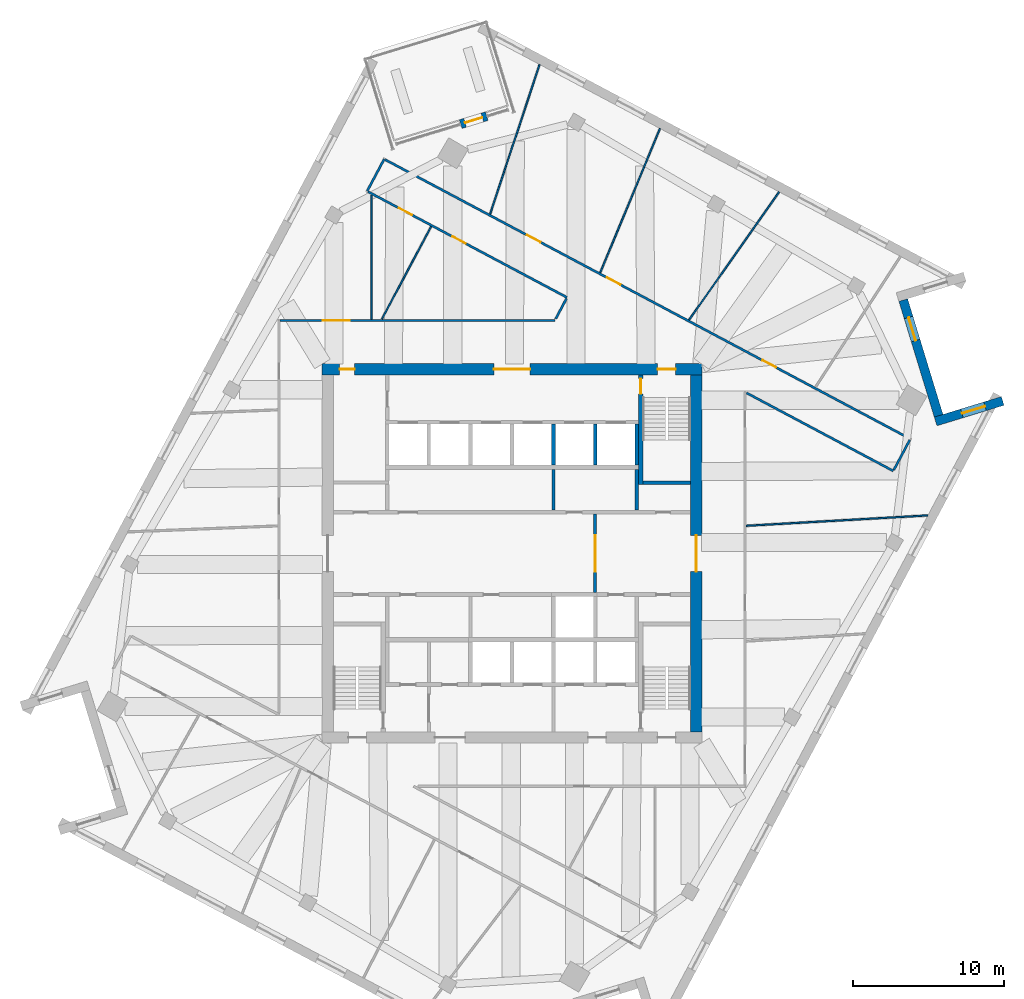
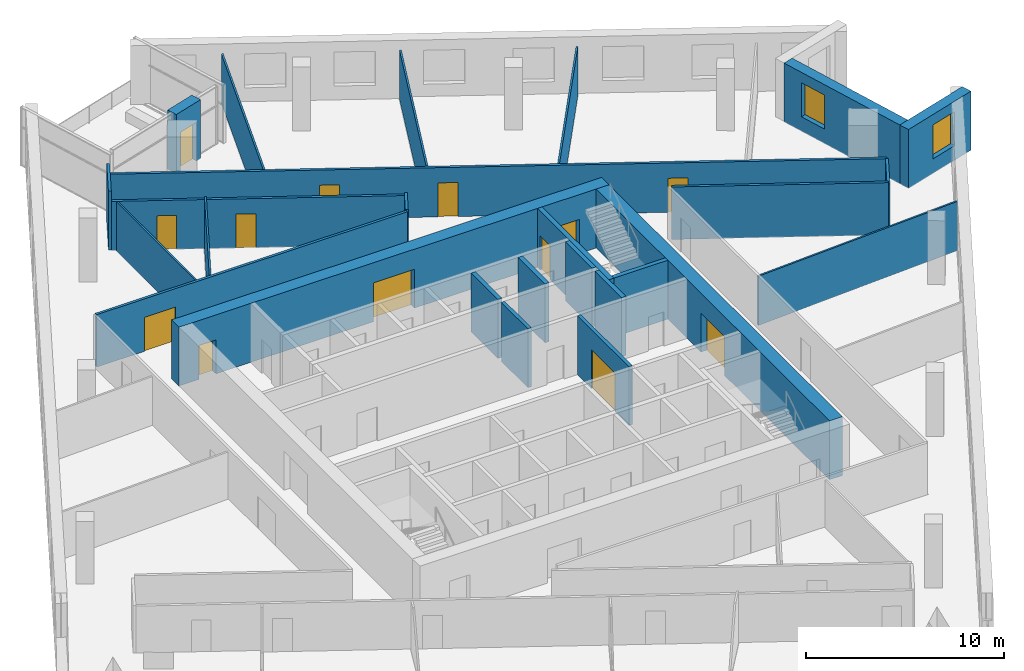
# One storey, part 10 of 13: 26 walls, 13 doors, 2 windows, 15 openings.
"""IFC4 building model written with IfcOpenShell, lengths in metres."""

from ifc_helpers import new_model, si_unit, direction, frame, frame_2d, origin, place, context, subcontext, project, spatial, rectangle, extrude, material, layer, layer_set, type_object, element, fill, save


model = new_model("IFC4")

# Units and contexts
model_context = context("Model", 3, precision=1e-05, world=origin(), true_north=direction((0.0, 1.0)))
body_context = subcontext(model_context, "Body", "Model", "MODEL_VIEW")
ifc_project = project(units=[si_unit("LENGTHUNIT", "METRE"), si_unit("AREAUNIT", "SQUARE_METRE"), si_unit("VOLUMEUNIT", "CUBIC_METRE"), si_unit("PLANEANGLEUNIT", "RADIAN"), si_unit("MASSUNIT", "GRAM", prefix="KILO")], contexts=[model_context])

# Site, building, storey
site_placement = place(None, origin())
site = spatial("IfcSite", under=ifc_project, at=site_placement, CompositionType="ELEMENT")
building_placement = place(site_placement, origin())
building = spatial("IfcBuilding", under=site, at=building_placement, Name="Dilmun Exchange Tower", CompositionType="ELEMENT")
storey_placement = place(building_placement, frame((0.0, 0.0, 274.89990234375)))
storey = spatial("IfcBuildingStorey", under=building, at=storey_placement, Name="L65", CompositionType="ELEMENT", Elevation=274.89990234375)

# Wall, opening, door
ifc_material_1 = material(Name="Concrete C40/50", Category="concrete")
ifc_layer_1 = layer(ifc_material_1, 0.199951171875)
ifc_layer_set_1 = layer_set([ifc_layer_1], Name="Concrete C40/50")
wall_type_1 = type_object("IfcWallType", Name="Core partition wall 200", PredefinedType="PARTITIONING", material=ifc_layer_set_1)
wall_1_placement = place(storey_placement, frame((5.5, -2.594970703125, 0.0), z_axis=(0.0, 0.0, 1.0), x_axis=(0.0, 1.0, 0.0)))
wall_1 = element("IfcWall", 1, at=wall_1_placement, inside=storey, type_object=wall_type_1, Name="L65 core partition wall 12", PredefinedType="PARTITIONING", context=body_context, shape_type="SweptSolid", body=[
    extrude(rectangle(XDim=5.18994140625, YDim=0.199951171875, at=frame_2d((2.594970703125, 0.0))), origin(), (0.0, 0.0, 1.0), 3.64013671875),
])
opening_1_placement = place(wall_1_placement, frame((1.39501953125, 0.0, 0.0)))
opening_1 = element("IfcOpeningElement", 2, at=opening_1_placement, cuts=wall_1, Name="Opening CD1", PredefinedType="OPENING", context=body_context, shape_type="SweptSolid", body=[
    extrude(rectangle(XDim=2.39990234375, YDim=2.39990234375, at=frame_2d((1.199951171875, 1.199951171875))), frame((0.0, 0.10986328125, 0.0), z_axis=(0.0, -1.0, 0.0), x_axis=(1.0, 0.0, 0.0)), (0.0, 0.0, 1.0), 0.219970703125),
])
ifc_material_2 = material(Name="Fire-rated steel door set", Category="steel")
door_type_1 = type_object("IfcDoorType", Name="Core lobby door 2400x2400", OperationType="DOUBLE_DOOR_DOUBLE_SWING", PredefinedType="DOOR", material=ifc_material_2)
door_1_placement = place(opening_1_placement, origin())
door_1 = element("IfcDoor", 3, at=door_1_placement, inside=storey, type_object=door_type_1, Name="L65 door Lift lobby east", OperationType="DOUBLE_DOOR_DOUBLE_SWING", OverallHeight=2.39990234375, OverallWidth=2.39990234375, PredefinedType="DOOR", context=body_context, shape_type="SweptSolid", body=[
    extrude(rectangle(XDim=2.39990234375, YDim=2.39990234375, at=frame_2d((1.199951171875, 1.199951171875))), frame((0.0, 0.02490234375, 0.0), z_axis=(0.0, -1.0, 0.0), x_axis=(1.0, 0.0, 0.0)), (0.0, 0.0, 1.0), 0.050048828125),
])
fill(opening_1, door_1)

# Walls
wall_2_placement = place(storey_placement, frame((2.75, 2.85498046875, 0.0), z_axis=(0.0, 0.0, 1.0), x_axis=(0.0, 1.0, 0.0)))
element("IfcWall", 4, at=wall_2_placement, inside=storey, type_object=wall_type_1, Name="L65 core partition wall 15", PredefinedType="PARTITIONING", context=body_context, shape_type="SweptSolid", body=[
    extrude(rectangle(XDim=2.68994140625, YDim=0.199951171875, at=frame_2d((1.344970703125, 0.0))), origin(), (0.0, 0.0, 1.0), 3.64013671875),
])
ifc_layer_2 = layer(ifc_material_1, 0.25)
ifc_layer_set_2 = layer_set([ifc_layer_2], Name="Concrete C40/50")
wall_type_2 = type_object("IfcWallType", Name="Core partition wall 250", PredefinedType="PARTITIONING", material=ifc_layer_set_2)
wall_3_placement = place(storey_placement, frame((8.25, 2.85498046875, 0.0), z_axis=(0.0, 0.0, 1.0), x_axis=(0.0, 1.0, 0.0)))
element("IfcWall", 5, at=wall_3_placement, inside=storey, type_object=wall_type_2, Name="L65 core partition wall 16", PredefinedType="PARTITIONING", context=body_context, shape_type="SweptSolid", body=[
    extrude(rectangle(XDim=2.68994140625, YDim=0.25, at=frame_2d((1.344970703125, 0.0))), origin(), (0.0, 0.0, 1.0), 3.64013671875),
])

# Wall, openings, doors
ifc_material_3 = material(Name="Concrete C50/60", Category="concrete")
ifc_layer_3 = layer(ifc_material_3, 0.75)
ifc_layer_set_3 = layer_set([ifc_layer_3], Name="Concrete C50/60")
wall_type_3 = type_object("IfcWallType", Name="Core shear wall 750 Concrete C50/60", PredefinedType="SHEAR", material=ifc_layer_set_3)
wall_4_placement = place(storey_placement, frame((-12.550048828125, 12.175048828125, 0.0), z_axis=(0.0, 0.0, 1.0), x_axis=(1.0, 0.0, 0.0)))
wall_4 = element("IfcWall", 6, at=wall_4_placement, inside=storey, type_object=wall_type_3, Name="L65 core shear wall N", PredefinedType="SHEAR", context=body_context, shape_type="SweptSolid", body=[
    extrude(rectangle(XDim=25.10009765625, YDim=0.75, at=frame_2d((12.550048828125, 0.0))), origin(), (0.0, 0.0, 1.0), 3.64013671875),
])
opening_2_placement = place(wall_4_placement, frame((11.35009765625, 0.0, 0.0)))
opening_2 = element("IfcOpeningElement", 7, at=opening_2_placement, cuts=wall_4, Name="Opening CD1", PredefinedType="OPENING", context=body_context, shape_type="SweptSolid", body=[
    extrude(rectangle(XDim=2.39990234375, YDim=2.39990234375, at=frame_2d((1.199951171875, 1.199951171875))), frame((0.0, 0.385009765625, 0.0), z_axis=(0.0, -1.0, 0.0), x_axis=(1.0, 0.0, 0.0)), (0.0, 0.0, 1.0), 0.77001953125),
])
opening_3_placement = place(wall_4_placement, frame((22.175048828125, 0.0, 0.0)))
opening_3 = element("IfcOpeningElement", 8, at=opening_3_placement, cuts=wall_4, Name="Opening CD3", PredefinedType="OPENING", context=body_context, shape_type="SweptSolid", body=[
    extrude(rectangle(XDim=1.199951171875, YDim=2.10009765625, at=frame_2d((0.60009765625, 1.050048828125))), frame((0.0, 0.385009765625, 0.0), z_axis=(0.0, -1.0, 0.0), x_axis=(1.0, 0.0, 0.0)), (0.0, 0.0, 1.0), 0.77001953125),
])
opening_4_placement = place(wall_4_placement, frame((1.14990234375, 0.0, 0.0)))
opening_4 = element("IfcOpeningElement", 9, at=opening_4_placement, cuts=wall_4, Name="Opening CD4", PredefinedType="OPENING", context=body_context, shape_type="SweptSolid", body=[
    extrude(rectangle(XDim=1.0, YDim=2.10009765625, at=frame_2d((0.5, 1.050048828125))), frame((0.0, 0.385009765625, 0.0), z_axis=(0.0, -1.0, 0.0), x_axis=(1.0, 0.0, 0.0)), (0.0, 0.0, 1.0), 0.77001953125),
])
door_2_placement = place(opening_2_placement, origin())
door_2 = element("IfcDoor", 10, at=door_2_placement, inside=storey, type_object=door_type_1, Name="L65 door North lift lobby", OperationType="SINGLE_SWING_LEFT", OverallHeight=2.39990234375, OverallWidth=2.39990234375, PredefinedType="DOOR", context=body_context, shape_type="SweptSolid", body=[
    extrude(rectangle(XDim=2.39990234375, YDim=2.39990234375, at=frame_2d((1.199951171875, 1.199951171875))), frame((0.0, 0.02490234375, 0.0), z_axis=(0.0, -1.0, 0.0), x_axis=(1.0, 0.0, 0.0)), (0.0, 0.0, 1.0), 0.050048828125),
])
fill(opening_2, door_2)
door_type_2 = type_object("IfcDoorType", Name="Core room door 1000x2100", OperationType="SINGLE_SWING_LEFT", PredefinedType="DOOR", material=ifc_material_2)
door_3_placement = place(opening_4_placement, origin())
door_3 = element("IfcDoor", 11, at=door_3_placement, inside=storey, type_object=door_type_2, Name="L65 door North-west core rooms", OperationType="SINGLE_SWING_LEFT", OverallHeight=2.10009765625, OverallWidth=1.0, PredefinedType="DOOR", context=body_context, shape_type="SweptSolid", body=[
    extrude(rectangle(XDim=1.0, YDim=2.10009765625, at=frame_2d((0.5, 1.050048828125))), frame((0.0, 0.02490234375, 0.0), z_axis=(0.0, -1.0, 0.0), x_axis=(1.0, 0.0, 0.0)), (0.0, 0.0, 1.0), 0.050048828125),
])
fill(opening_4, door_3)
door_type_3 = type_object("IfcDoorType", Name="Stair exit door 1200x2100", OperationType="SINGLE_SWING_LEFT", PredefinedType="DOOR", material=ifc_material_2)
door_4_placement = place(opening_3_placement, origin())
door_4 = element("IfcDoor", 12, at=door_4_placement, inside=storey, type_object=door_type_3, Name="L65 door Stair ST1", OperationType="SINGLE_SWING_LEFT", OverallHeight=2.10009765625, OverallWidth=1.199951171875, PredefinedType="DOOR", context=body_context, shape_type="SweptSolid", body=[
    extrude(rectangle(XDim=1.199951171875, YDim=2.10009765625, at=frame_2d((0.60009765625, 1.050048828125))), frame((0.0, 0.02490234375, 0.0), z_axis=(0.0, -1.0, 0.0), x_axis=(1.0, 0.0, 0.0)), (0.0, 0.0, 1.0), 0.050048828125),
])
fill(opening_3, door_4)

# Wall, opening, door
wall_5_placement = place(storey_placement, frame((12.175048828125, -11.800048828125, 0.0), z_axis=(0.0, 0.0, 1.0), x_axis=(0.0, 1.0, 0.0)))
wall_5 = element("IfcWall", 13, at=wall_5_placement, inside=storey, type_object=wall_type_3, Name="L65 core shear wall E", PredefinedType="SHEAR", context=body_context, shape_type="SweptSolid", body=[
    extrude(rectangle(XDim=23.60009765625, YDim=0.75, at=frame_2d((11.800048828125, 0.0))), origin(), (0.0, 0.0, 1.0), 3.64013671875),
])
opening_5_placement = place(wall_5_placement, frame((10.60009765625, 0.0, 0.0)))
opening_5 = element("IfcOpeningElement", 14, at=opening_5_placement, cuts=wall_5, Name="Opening CD1", PredefinedType="OPENING", context=body_context, shape_type="SweptSolid", body=[
    extrude(rectangle(XDim=2.39990234375, YDim=2.39990234375, at=frame_2d((1.199951171875, 1.199951171875))), frame((0.0, 0.385009765625, 0.0), z_axis=(0.0, -1.0, 0.0), x_axis=(1.0, 0.0, 0.0)), (0.0, 0.0, 1.0), 0.77001953125),
])
door_5_placement = place(opening_5_placement, origin())
door_5 = element("IfcDoor", 15, at=door_5_placement, inside=storey, type_object=door_type_1, Name="L65 door Central lift lobby", OperationType="SINGLE_SWING_LEFT", OverallHeight=2.39990234375, OverallWidth=2.39990234375, PredefinedType="DOOR", context=body_context, shape_type="SweptSolid", body=[
    extrude(rectangle(XDim=2.39990234375, YDim=2.39990234375, at=frame_2d((1.199951171875, 1.199951171875))), frame((0.0, 0.02490234375, 0.0), z_axis=(0.0, -1.0, 0.0), x_axis=(1.0, 0.0, 0.0)), (0.0, 0.0, 1.0), 0.050048828125),
])
fill(opening_5, door_5)

ifc_material_4 = material(Name="Corridor wall 150")
ifc_layer_4 = layer(ifc_material_4, 0.14990234375)
ifc_layer_set_4 = layer_set([ifc_layer_4], Name="Corridor wall 150")
wall_type_4 = type_object("IfcWallType", Name="Corridor wall 150", PredefinedType="PARTITIONING", material=ifc_layer_set_4)
wall_6_placement = place(storey_placement, frame((-15.324951171875, 15.39990234375, 0.0), z_axis=(0.0, 0.0, 1.0), x_axis=(1.0, 0.0, 0.0)))
wall_6 = element("IfcWall", 16, at=wall_6_placement, inside=storey, type_object=wall_type_4, Name="Corridor wall", PredefinedType="PARTITIONING", context=body_context, shape_type="SweptSolid", body=[
    extrude(rectangle(XDim=18.155029296875, YDim=0.14990234375, at=frame_2d((9.07763671875, 0.0))), origin(), (0.0, 0.0, 1.0), 3.239990234375),
])
opening_6_placement = place(wall_6_placement, frame((2.800048828125, 0.0, 0.0)))
opening_6 = element("IfcOpeningElement", 17, at=opening_6_placement, cuts=wall_6, Name="Opening TF65-D06", PredefinedType="OPENING", context=body_context, shape_type="SweptSolid", body=[
    extrude(rectangle(XDim=1.800048828125, YDim=2.10009765625, at=frame_2d((0.89990234375, 1.050048828125))), frame((0.0, 0.0849609375, 0.0), z_axis=(0.0, -1.0, 0.0), x_axis=(1.0, 0.0, 0.0)), (0.0, 0.0, 1.0), 0.169921875),
])
ifc_material_5 = material(Name="Fire door pair 1800 x 2100")
door_type_4 = type_object("IfcDoorType", Name="Fire door pair 1800 x 2100", OperationType="NOTDEFINED", PredefinedType="DOOR", material=ifc_material_5)
door_6_placement = place(opening_6_placement, origin())
door_6 = element("IfcDoor", 18, at=door_6_placement, inside=storey, type_object=door_type_4, Name="Door TF65-D06", OperationType="DOUBLE_DOOR_SINGLE_SWING", OverallHeight=2.10009765625, OverallWidth=1.800048828125, PredefinedType="DOOR", context=body_context, shape_type="SweptSolid", body=[
    extrude(rectangle(XDim=1.800048828125, YDim=2.10009765625, at=frame_2d((0.89990234375, 1.050048828125))), frame((0.0, 0.02490234375, 0.0), z_axis=(0.0, -1.0, 0.0), x_axis=(1.0, 0.0, 0.0)), (0.0, 0.0, 1.0), 0.050048828125),
])
fill(opening_6, door_6)

# Wall
wall_7_placement = place(storey_placement, frame((-9.577880859375, 23.948974609375, 0.0), z_axis=(0.0, 0.0, 1.0), x_axis=(0.469531998299, 0.882915456073, 0.0)))
element("IfcWall", 19, at=wall_7_placement, inside=storey, type_object=wall_type_4, Name="Corridor wall", PredefinedType="PARTITIONING", context=body_context, shape_type="SweptSolid", body=[
    extrude(rectangle(XDim=2.400146484375, YDim=0.14990234375, at=frame_2d((1.2001953125, 0.0))), origin(), (0.0, 0.0, 1.0), 3.64013671875),
])

# Wall, openings, doors
wall_8_placement = place(storey_placement, frame((-9.51171875, 23.913818359375, 0.0), z_axis=(0.0, 0.0, 1.0), x_axis=(0.882964773335, -0.469439249583, 0.0)))
wall_8 = element("IfcWall", 20, at=wall_8_placement, inside=storey, type_object=wall_type_4, Name="Corridor wall", PredefinedType="PARTITIONING", context=body_context, shape_type="SweptSolid", body=[
    extrude(rectangle(XDim=14.893798828125, YDim=0.14990234375, at=frame_2d((7.44677734375, 0.0))), origin(), (0.0, 0.0, 1.0), 3.0400390625),
])
opening_7_placement = place(wall_8_placement, frame((2.29638671875, 0.0, 0.0)))
opening_7 = element("IfcOpeningElement", 21, at=opening_7_placement, cuts=wall_8, Name="Opening TF65-D08", PredefinedType="OPENING", context=body_context, shape_type="SweptSolid", body=[
    extrude(rectangle(XDim=1.0, YDim=2.10009765625, at=frame_2d((0.5, 1.050048828125))), frame((0.0, 0.0849609375, 0.0), z_axis=(0.0, -1.0, 0.0), x_axis=(1.0, 0.0, 0.0)), (0.0, 0.0, 1.0), 0.169921875),
])
opening_8_placement = place(wall_8_placement, frame((6.306640625, 0.0, 0.0)))
opening_8 = element("IfcOpeningElement", 22, at=opening_8_placement, cuts=wall_8, Name="Opening TF65-D10", PredefinedType="OPENING", context=body_context, shape_type="SweptSolid", body=[
    extrude(rectangle(XDim=1.0, YDim=2.10009765625, at=frame_2d((0.5, 1.050048828125))), frame((0.0, 0.0849609375, 0.0), z_axis=(0.0, -1.0, 0.0), x_axis=(1.0, 0.0, 0.0)), (0.0, 0.0, 1.0), 0.169921875),
])
ifc_material_6 = material(Name="Fire door 1000 x 2100")
door_type_5 = type_object("IfcDoorType", Name="Fire door 1000 x 2100", OperationType="NOTDEFINED", PredefinedType="DOOR", material=ifc_material_6)
door_7_placement = place(opening_7_placement, frame((1.0, 0.0, 0.0), z_axis=(0.0, 0.0, 1.0), x_axis=(-1.0, 0.0, 0.0)))
door_7 = element("IfcDoor", 23, at=door_7_placement, inside=storey, type_object=door_type_5, Name="Door TF65-D08", OperationType="SINGLE_SWING_RIGHT", OverallHeight=2.10009765625, OverallWidth=1.0, PredefinedType="DOOR", context=body_context, shape_type="SweptSolid", body=[
    extrude(rectangle(XDim=1.0, YDim=2.10009765625, at=frame_2d((0.5, 1.050048828125))), frame((0.0, 0.02490234375, 0.0), z_axis=(0.0, -1.0, 0.0), x_axis=(1.0, 0.0, 0.0)), (0.0, 0.0, 1.0), 0.050048828125),
])
fill(opening_7, door_7)
door_8_placement = place(opening_8_placement, frame((1.0, 0.0, 0.0), z_axis=(0.0, 0.0, 1.0), x_axis=(-1.0, 0.0, 0.0)))
door_8 = element("IfcDoor", 24, at=door_8_placement, inside=storey, type_object=door_type_5, Name="Door TF65-D10", OperationType="SINGLE_SWING_LEFT", OverallHeight=2.10009765625, OverallWidth=1.0, PredefinedType="DOOR", context=body_context, shape_type="SweptSolid", body=[
    extrude(rectangle(XDim=1.0, YDim=2.10009765625, at=frame_2d((0.5, 1.050048828125))), frame((0.0, 0.02490234375, 0.0), z_axis=(0.0, -1.0, 0.0), x_axis=(1.0, 0.0, 0.0)), (0.0, 0.0, 1.0), 0.050048828125),
])
fill(opening_8, door_8)

wall_9_placement = place(storey_placement, frame((-8.384765625, 26.03271484375, 0.0), z_axis=(0.0, 0.0, 1.0), x_axis=(0.882949433839, -0.46946810039, 0.0)))
wall_9 = element("IfcWall", 25, at=wall_9_placement, inside=storey, type_object=wall_type_4, Name="Corridor wall", PredefinedType="PARTITIONING", context=body_context, shape_type="SweptSolid", body=[
    extrude(rectangle(XDim=39.32470703125, YDim=0.14990234375, at=frame_2d((19.662353515625, 0.0))), origin(), (0.0, 0.0, 1.0), 3.0400390625),
])
opening_9_placement = place(wall_9_placement, frame((10.6220703125, 0.0, 0.0)))
opening_9 = element("IfcOpeningElement", 26, at=opening_9_placement, cuts=wall_9, Name="Opening TF65-D12", PredefinedType="OPENING", context=body_context, shape_type="SweptSolid", body=[
    extrude(rectangle(XDim=1.0, YDim=2.10009765625, at=frame_2d((0.5, 1.050048828125))), frame((0.0, 0.0849609375, 0.0), z_axis=(0.0, -1.0, 0.0), x_axis=(1.0, 0.0, 0.0)), (0.0, 0.0, 1.0), 0.169921875),
])
opening_10_placement = place(wall_9_placement, frame((16.615478515625, 0.0, 0.0)))
opening_10 = element("IfcOpeningElement", 27, at=opening_10_placement, cuts=wall_9, Name="Opening TF65-D16", PredefinedType="OPENING", context=body_context, shape_type="SweptSolid", body=[
    extrude(rectangle(XDim=1.0, YDim=2.10009765625, at=frame_2d((0.5, 1.050048828125))), frame((0.0, 0.0849609375, 0.0), z_axis=(0.0, -1.0, 0.0), x_axis=(1.0, 0.0, 0.0)), (0.0, 0.0, 1.0), 0.169921875),
])
opening_11_placement = place(wall_9_placement, frame((28.254150390625, 0.0, 0.0)))
opening_11 = element("IfcOpeningElement", 28, at=opening_11_placement, cuts=wall_9, Name="Opening TF65-D17", PredefinedType="OPENING", context=body_context, shape_type="SweptSolid", body=[
    extrude(rectangle(XDim=1.0, YDim=2.10009765625, at=frame_2d((0.5, 1.050048828125))), frame((0.0, 0.0849609375, 0.0), z_axis=(0.0, -1.0, 0.0), x_axis=(1.0, 0.0, 0.0)), (0.0, 0.0, 1.0), 0.169921875),
])
door_9_placement = place(opening_9_placement, origin())
door_9 = element("IfcDoor", 29, at=door_9_placement, inside=storey, type_object=door_type_5, Name="Door TF65-D12", OperationType="SINGLE_SWING_RIGHT", OverallHeight=2.10009765625, OverallWidth=1.0, PredefinedType="DOOR", context=body_context, shape_type="SweptSolid", body=[
    extrude(rectangle(XDim=1.0, YDim=2.10009765625, at=frame_2d((0.5, 1.050048828125))), frame((0.0, 0.02490234375, 0.0), z_axis=(0.0, -1.0, 0.0), x_axis=(1.0, 0.0, 0.0)), (0.0, 0.0, 1.0), 0.050048828125),
])
fill(opening_9, door_9)
door_10_placement = place(opening_10_placement, origin())
door_10 = element("IfcDoor", 30, at=door_10_placement, inside=storey, type_object=door_type_5, Name="Door TF65-D16", OperationType="SINGLE_SWING_LEFT", OverallHeight=2.10009765625, OverallWidth=1.0, PredefinedType="DOOR", context=body_context, shape_type="SweptSolid", body=[
    extrude(rectangle(XDim=1.0, YDim=2.10009765625, at=frame_2d((0.5, 1.050048828125))), frame((0.0, 0.02490234375, 0.0), z_axis=(0.0, -1.0, 0.0), x_axis=(1.0, 0.0, 0.0)), (0.0, 0.0, 1.0), 0.050048828125),
])
fill(opening_10, door_10)
door_11_placement = place(opening_11_placement, origin())
door_11 = element("IfcDoor", 31, at=door_11_placement, inside=storey, type_object=door_type_5, Name="Door TF65-D17", OperationType="SINGLE_SWING_RIGHT", OverallHeight=2.10009765625, OverallWidth=1.0, PredefinedType="DOOR", context=body_context, shape_type="SweptSolid", body=[
    extrude(rectangle(XDim=1.0, YDim=2.10009765625, at=frame_2d((0.5, 1.050048828125))), frame((0.0, 0.02490234375, 0.0), z_axis=(0.0, -1.0, 0.0), x_axis=(1.0, 0.0, 0.0)), (0.0, 0.0, 1.0), 0.050048828125),
])
fill(opening_11, door_11)

# Walls
wall_10_placement = place(storey_placement, frame((2.888671875, 15.51025390625, 0.0), z_axis=(0.0, 0.0, 1.0), x_axis=(0.469315326783, 0.883030647286, 0.0)))
element("IfcWall", 32, at=wall_10_placement, inside=storey, type_object=wall_type_4, Name="Corridor wall", PredefinedType="PARTITIONING", context=body_context, shape_type="SweptSolid", body=[
    extrude(rectangle(XDim=1.523681640625, YDim=0.14990234375, at=frame_2d((0.76171875, 0.0))), origin(), (0.0, 0.0, 1.0), 3.239990234375),
])
wall_11_placement = place(storey_placement, frame((15.51025390625, 10.609375, 0.0), z_axis=(0.0, 0.0, 1.0), x_axis=(0.882945895242, -0.469474755525, 0.0)))
element("IfcWall", 33, at=wall_11_placement, inside=storey, type_object=wall_type_4, Name="Corridor wall", PredefinedType="PARTITIONING", context=body_context, shape_type="SweptSolid", body=[
    extrude(rectangle(XDim=10.985595703125, YDim=0.14990234375, at=frame_2d((5.49267578125, 0.0))), origin(), (0.0, 0.0, 1.0), 3.239990234375),
])
wall_12_placement = place(storey_placement, frame((25.2451171875, 5.518310546875, 0.0), z_axis=(0.0, 0.0, 1.0), x_axis=(0.469596777995, 0.882881003361, 0.0)))
element("IfcWall", 34, at=wall_12_placement, inside=storey, type_object=wall_type_4, Name="Corridor wall", PredefinedType="PARTITIONING", context=body_context, shape_type="SweptSolid", body=[
    extrude(rectangle(XDim=2.25, YDim=0.14990234375, at=frame_2d((1.125, 0.0))), origin(), (0.0, 0.0, 1.0), 3.0400390625),
])
ifc_layer_5 = layer(ifc_material_1, 0.25)
ifc_layer_set_5 = layer_set([ifc_layer_5], Name="Concrete C40/50")
wall_type_5 = type_object("IfcWallType", Name="Lift shaft wall 250", PredefinedType="SOLIDWALL", material=ifc_layer_set_5)
for number, where, z_axis, x_axis, name in (
    (35, (2.75, 5.85009765625, 0.0), (0.0, 0.0, 1.0), (0.0, 1.0, 0.0), "L65 lift shaft divider N24"),
    (36, (5.5, 5.85009765625, 0.0), (0.0, 0.0, 1.0), (0.0, 1.0, 0.0), "L65 lift shaft divider N25"),
    (37, (8.25, 5.85009765625, 0.0), (0.0, 0.0, 1.0), (0.0, 1.0, 0.0), "L65 lift shaft divider N26"),
):
    element("IfcWall", number, at=place(storey_placement, frame(where, z_axis=z_axis, x_axis=x_axis)), inside=storey, type_object=wall_type_5, Name=name, PredefinedType="SOLIDWALL", context=body_context, shape_type="SweptSolid", body=[
        extrude(rectangle(XDim=2.699951171875, YDim=0.25, at=frame_2d((1.35009765625, 0.0))), origin(), (0.0, 0.0, 1.0), 3.64013671875),
    ])
ifc_material_7 = material(Name="Partition 100")
ifc_layer_6 = layer(ifc_material_7, 0.10009765625)
ifc_layer_set_6 = layer_set([ifc_layer_6], Name="Partition 100")
wall_type_6 = type_object("IfcWallType", Name="Partition 100", PredefinedType="PARTITIONING", material=ifc_layer_set_6)
wall_13_placement = place(storey_placement, frame((-9.2939453125, 15.47509765625, 0.0), z_axis=(0.0, 0.0, 1.0), x_axis=(0.0, 1.0, 0.0)))
element("IfcWall", 38, at=wall_13_placement, inside=storey, type_object=wall_type_6, Name="Partition", PredefinedType="PARTITIONING", context=body_context, shape_type="SweptSolid", body=[
    extrude(rectangle(XDim=8.21142578125, YDim=0.10009765625, at=frame_2d((4.105712890625, 0.0))), origin(), (0.0, 0.0, 1.0), 3.0400390625),
])
wall_14_placement = place(storey_placement, frame((-8.5986328125, 15.49853515625, 0.0), z_axis=(0.0, 0.0, 1.0), x_axis=(0.469406036047, 0.882982430925, 0.0)))
element("IfcWall", 39, at=wall_14_placement, inside=storey, type_object=wall_type_6, Name="Partition", PredefinedType="PARTITIONING", context=body_context, shape_type="SweptSolid", body=[
    extrude(rectangle(XDim=6.9267578125, YDim=0.10009765625, at=frame_2d((3.46337890625, 0.0))), origin(), (0.0, 0.0, 1.0), 3.239990234375),
])
wall_15_placement = place(storey_placement, frame((-1.4453125, 22.4384765625, 0.0), z_axis=(0.0, 0.0, 1.0), x_axis=(0.313673627087, 0.949530860831, 0.0)))
element("IfcWall", 40, at=wall_15_placement, inside=storey, type_object=wall_type_6, Name="Partition", PredefinedType="PARTITIONING", context=body_context, shape_type="SweptSolid", body=[
    extrude(rectangle(XDim=10.4140625, YDim=0.10009765625, at=frame_2d((5.20703125, 0.0))), origin(), (0.0, 0.0, 1.0), 3.0400390625),
])
wall_16_placement = place(storey_placement, frame((5.834716796875, 18.56298828125, 0.0), z_axis=(0.0, 0.0, 1.0), x_axis=(0.382702237667, 0.923871742876, 0.0)))
element("IfcWall", 41, at=wall_16_placement, inside=storey, type_object=wall_type_6, Name="Partition", PredefinedType="PARTITIONING", context=body_context, shape_type="SweptSolid", body=[
    extrude(rectangle(XDim=10.316162109375, YDim=0.10009765625, at=frame_2d((5.158203125, 0.0))), origin(), (0.0, 0.0, 1.0), 3.0400390625),
])
wall_17_placement = place(storey_placement, frame((11.708984375, 15.44091796875, 0.0), z_axis=(0.0, 0.0, 1.0), x_axis=(0.575721307139, 0.817645997058, 0.0)))
element("IfcWall", 42, at=wall_17_placement, inside=storey, type_object=wall_type_6, Name="Partition", PredefinedType="PARTITIONING", context=body_context, shape_type="SweptSolid", body=[
    extrude(rectangle(XDim=10.347900390625, YDim=0.10009765625, at=frame_2d((5.173828125, 0.0))), origin(), (0.0, 0.0, 1.0), 3.0400390625),
])
wall_18_placement = place(storey_placement, frame((15.477783203125, 1.825439453125, 0.0), z_axis=(0.0, 0.0, 1.0), x_axis=(0.998373479071, 0.057012246819, 0.0)))
element("IfcWall", 43, at=wall_18_placement, inside=storey, type_object=wall_type_6, Name="Partition", PredefinedType="PARTITIONING", context=body_context, shape_type="SweptSolid", body=[
    extrude(rectangle(XDim=12.037353515625, YDim=0.10009765625, at=frame_2d((6.0185546875, 0.0))), origin(), (0.0, 0.0, 1.0), 3.0400390625),
])

# Wall, opening, window
ifc_material_8 = material(Name="Precast concrete C50/60", Category="concrete")
ifc_layer_7 = layer(ifc_material_8, 0.60009765625)
ifc_layer_set_7 = layer_set([ifc_layer_7], Name="Precast concrete C50/60")
wall_type_7 = type_object("IfcWallType", Name="Precast stone-clad wall 600", PredefinedType="STANDARD", material=ifc_layer_set_7)
wall_19_placement = place(storey_placement, frame((32.44189453125, 10.080322265625, 0.0), z_axis=(0.0, 0.0, 1.0), x_axis=(-0.956306994041, -0.2923643842, 0.0)))
wall_19 = element("IfcWall", 44, at=wall_19_placement, inside=storey, type_object=wall_type_7, Name="Facade wall L65-12", PredefinedType="STANDARD", context=body_context, shape_type="SweptSolid", body=[
    extrude(rectangle(XDim=4.635498046875, YDim=0.60009765625, at=frame_2d((2.31787109375, 0.0))), origin(), (0.0, 0.0, 1.0), 3.64013671875),
])
opening_12_placement = place(wall_19_placement, frame((1.2177734375, 0.0, 0.89990234375)))
opening_12 = element("IfcOpeningElement", 45, at=opening_12_placement, cuts=wall_19, Name="Opening W160-210", PredefinedType="OPENING", context=body_context, shape_type="SweptSolid", body=[
    extrude(rectangle(XDim=1.60009765625, YDim=2.10009765625, at=frame_2d((0.800048828125, 1.050048828125))), frame((0.0, 0.31005859375, 0.0), z_axis=(0.0, -1.0, 0.0), x_axis=(1.0, 0.0, 0.0)), (0.0, 0.0, 1.0), 0.6201171875),
])
ifc_material_9 = material(Name="Clear low-emissivity glass in aluminium frame", Category="aluminium")
window_type = type_object("IfcWindowType", Name="Punched window 1600 x 2100", PartitioningType="DOUBLE_PANEL_VERTICAL", PredefinedType="WINDOW", material=ifc_material_9)
window_1_placement = place(opening_12_placement, origin())
window_1 = element("IfcWindow", 46, at=window_1_placement, inside=storey, type_object=window_type, Name="Window 13.1", OverallHeight=2.10009765625, OverallWidth=1.60009765625, PartitioningType="SINGLE_PANEL", PredefinedType="WINDOW", context=body_context, shape_type="SweptSolid", body=[
    extrude(rectangle(XDim=1.60009765625, YDim=2.10009765625, at=frame_2d((0.800048828125, 1.050048828125))), frame((0.0, 0.030029296875, 0.0), z_axis=(0.0, -1.0, 0.0), x_axis=(1.0, 0.0, 0.0)), (0.0, 0.0, 1.0), 0.06005859375),
])
fill(opening_12, window_1)

wall_20_placement = place(storey_placement, frame((28.208251953125, 9.099609375, 0.0), z_axis=(0.0, 0.0, 1.0), x_axis=(-0.292389102139, 0.956299436866, 0.0)))
wall_20 = element("IfcWall", 47, at=wall_20_placement, inside=storey, type_object=wall_type_7, Name="Facade wall L65-13", PredefinedType="STANDARD", context=body_context, shape_type="SweptSolid", body=[
    extrude(rectangle(XDim=8.0, YDim=0.60009765625, at=frame_2d((4.0, 0.0))), origin(), (0.0, 0.0, 1.0), 3.64013671875),
])
opening_13_placement = place(wall_20_placement, frame((5.199951171875, 0.0, 0.89990234375)))
opening_13 = element("IfcOpeningElement", 48, at=opening_13_placement, cuts=wall_20, Name="Opening W160-210", PredefinedType="OPENING", context=body_context, shape_type="SweptSolid", body=[
    extrude(rectangle(XDim=1.60009765625, YDim=2.10009765625, at=frame_2d((0.800048828125, 1.050048828125))), frame((0.0, 0.31005859375, 0.0), z_axis=(0.0, -1.0, 0.0), x_axis=(1.0, 0.0, 0.0)), (0.0, 0.0, 1.0), 0.6201171875),
])
window_2_placement = place(opening_13_placement, origin())
window_2 = element("IfcWindow", 49, at=window_2_placement, inside=storey, type_object=window_type, Name="Window 14.2", OverallHeight=2.10009765625, OverallWidth=1.60009765625, PartitioningType="SINGLE_PANEL", PredefinedType="WINDOW", context=body_context, shape_type="SweptSolid", body=[
    extrude(rectangle(XDim=1.60009765625, YDim=2.10009765625, at=frame_2d((0.800048828125, 1.050048828125))), frame((0.0, 0.030029296875, 0.0), z_axis=(0.0, -1.0, 0.0), x_axis=(1.0, 0.0, 0.0)), (0.0, 0.0, 1.0), 0.06005859375),
])
fill(opening_13, window_2)

# Wall, opening, door
wall_21_placement = place(storey_placement, frame((-1.6708984375, 28.910888671875, 0.0), z_axis=(0.0, 0.0, 1.0), x_axis=(-0.956293645939, -0.292408041504, 0.0)))
wall_21 = element("IfcWall", 50, at=wall_21_placement, inside=storey, type_object=wall_type_7, Name="Facade wall L65-01-D", PredefinedType="STANDARD", context=body_context, shape_type="SweptSolid", body=[
    extrude(rectangle(XDim=1.800048828125, YDim=0.60009765625, at=frame_2d((0.89990234375, 0.0))), origin(), (0.0, 0.0, 1.0), 3.64013671875),
])
opening_14_placement = place(wall_21_placement, frame((0.300048828125, 0.0, 0.0)))
opening_14 = element("IfcOpeningElement", 51, at=opening_14_placement, cuts=wall_21, Name="Opening GD-1", PredefinedType="OPENING", context=body_context, shape_type="SweptSolid", body=[
    extrude(rectangle(XDim=1.199951171875, YDim=2.39990234375, at=frame_2d((0.60009765625, 1.199951171875))), frame((0.0, 0.31005859375, 0.0), z_axis=(0.0, -1.0, 0.0), x_axis=(1.0, 0.0, 0.0)), (0.0, 0.0, 1.0), 0.6201171875),
])
door_type_6 = type_object("IfcDoorType", Name="Glazed garden door 1200 x 2400", OperationType="SINGLE_SWING_LEFT", PredefinedType="DOOR", material=ifc_material_9)
door_12_placement = place(opening_14_placement, origin())
door_12 = element("IfcDoor", 52, at=door_12_placement, inside=storey, type_object=door_type_6, Name="Garden terrace door", OperationType="SINGLE_SWING_LEFT", OverallHeight=2.39990234375, OverallWidth=1.199951171875, PredefinedType="DOOR", context=body_context, shape_type="SweptSolid", body=[
    extrude(rectangle(XDim=1.199951171875, YDim=2.39990234375, at=frame_2d((0.60009765625, 1.199951171875))), frame((0.0, 0.02490234375, 0.0), z_axis=(0.0, -1.0, 0.0), x_axis=(1.0, 0.0, 0.0)), (0.0, 0.0, 1.0), 0.050048828125),
])
fill(opening_14, door_12)

# Wall
ifc_layer_8 = layer(ifc_material_1, 0.25)
ifc_layer_set_8 = layer_set([ifc_layer_8], Name="Concrete C40/50")
wall_type_8 = type_object("IfcWallType", Name="Stair end wall 250", PredefinedType="SOLIDWALL", material=ifc_layer_set_8)
wall_22_placement = place(storey_placement, frame((8.64990234375, 4.675048828125, 0.0), z_axis=(0.0, 0.0, 1.0), x_axis=(1.0, 0.0, 0.0)))
element("IfcWall", 53, at=wall_22_placement, inside=storey, type_object=wall_type_8, Name="L65 ST1 far wall", PredefinedType="SOLIDWALL", context=body_context, shape_type="SweptSolid", body=[
    extrude(rectangle(XDim=3.150146484375, YDim=0.25, at=frame_2d((1.5751953125, 0.0))), origin(), (0.0, 0.0, 1.0), 3.64013671875),
])

# Wall, opening, door
ifc_layer_9 = layer(ifc_material_1, 0.27490234375)
ifc_layer_set_9 = layer_set([ifc_layer_9], Name="Concrete C40/50")
wall_type_9 = type_object("IfcWallType", Name="Stair wall 275", PredefinedType="SOLIDWALL", material=ifc_layer_set_9)
wall_23_placement = place(storey_placement, frame((8.512451171875, 4.550048828125, 0.0), z_axis=(0.0, 0.0, 1.0), x_axis=(0.0, 1.0, 0.0)))
wall_23 = element("IfcWall", 54, at=wall_23_placement, inside=storey, type_object=wall_type_9, Name="L65 ST1 wall to lift block", PredefinedType="SOLIDWALL", context=body_context, shape_type="SweptSolid", body=[
    extrude(rectangle(XDim=7.25, YDim=0.27490234375, at=frame_2d((3.625, 0.0))), origin(), (0.0, 0.0, 1.0), 3.64013671875),
])
opening_15_placement = place(wall_23_placement, frame((6.0, 0.0, 0.0)))
opening_15 = element("IfcOpeningElement", 55, at=opening_15_placement, cuts=wall_23, Name="Opening CD4", PredefinedType="OPENING", context=body_context, shape_type="SweptSolid", body=[
    extrude(rectangle(XDim=1.0, YDim=2.10009765625, at=frame_2d((0.5, 1.050048828125))), frame((0.0, 0.1474609375, 0.0), z_axis=(0.0, -1.0, 0.0), x_axis=(1.0, 0.0, 0.0)), (0.0, 0.0, 1.0), 0.294921875),
])
door_13_placement = place(opening_15_placement, origin())
door_13 = element("IfcDoor", 56, at=door_13_placement, inside=storey, type_object=door_type_2, Name="L65 door ST1 from lobby", OperationType="SINGLE_SWING_LEFT", OverallHeight=2.10009765625, OverallWidth=1.0, PredefinedType="DOOR", context=body_context, shape_type="SweptSolid", body=[
    extrude(rectangle(XDim=1.0, YDim=2.10009765625, at=frame_2d((0.5, 1.050048828125))), frame((0.0, 0.02490234375, 0.0), z_axis=(0.0, -1.0, 0.0), x_axis=(1.0, 0.0, 0.0)), (0.0, 0.0, 1.0), 0.050048828125),
])
fill(opening_15, door_13)

save(model, "model.ifc")
